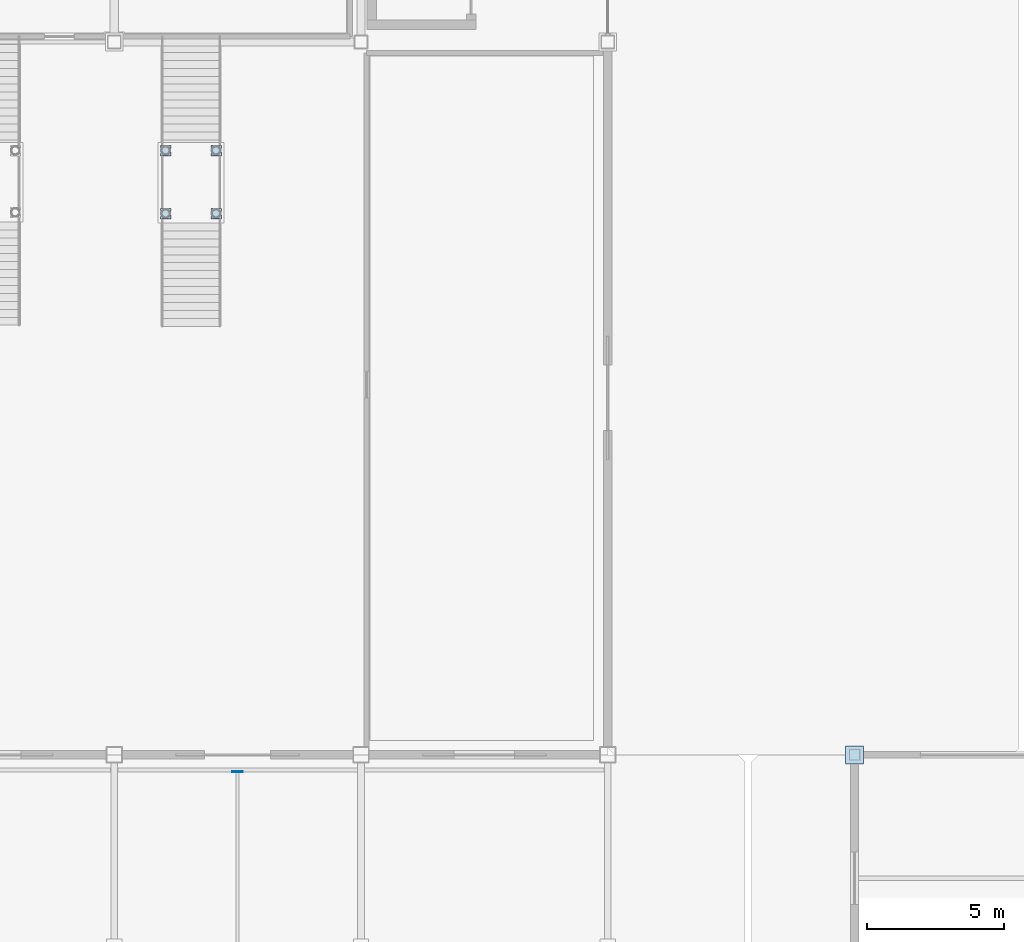
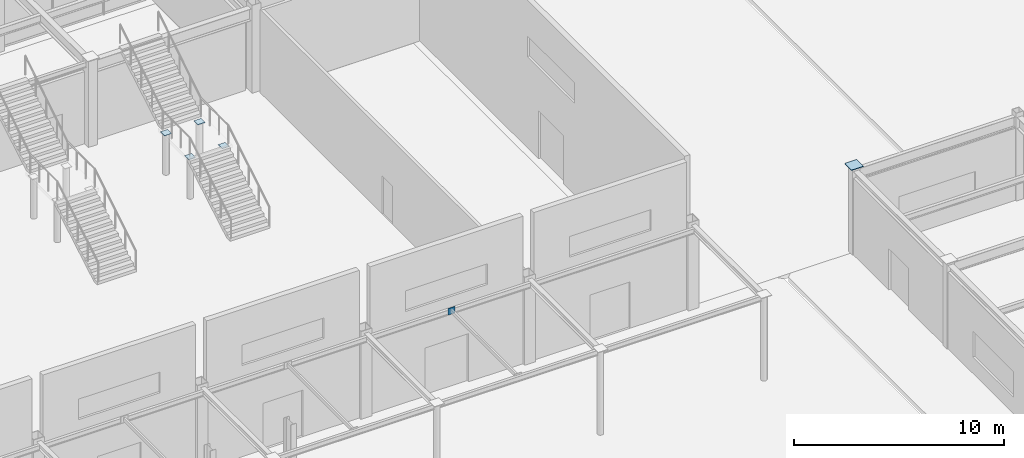
# One storey, part 79 of 123: 6 plates.
"""IFC4 building model written with IfcOpenShell, lengths in metres."""

from ifc_helpers import new_model, si_unit, direction, frame, origin, origin_2d, place, context, subcontext, project, spatial, rectangle, extrude, material, layer, layer_set, type_object, element, save


model = new_model("IFC4")

# Units and contexts
model_context = context("Model", 3, precision=1e-05, world=origin(), true_north=direction((0.0, 1.0)))
body_context = subcontext(model_context, "Body", "Model", "MODEL_VIEW")
ifc_project = project(units=[si_unit("LENGTHUNIT", "METRE"), si_unit("AREAUNIT", "SQUARE_METRE"), si_unit("VOLUMEUNIT", "CUBIC_METRE"), si_unit("PLANEANGLEUNIT", "RADIAN"), si_unit("MASSUNIT", "GRAM", prefix="KILO")], contexts=[model_context])

# Site, building, storey
site_placement = place(None, origin())
site = spatial("IfcSite", under=ifc_project, at=site_placement, CompositionType="ELEMENT")
building_placement = place(site_placement, origin())
building = spatial("IfcBuilding", under=site, at=building_placement, Name="Suzunagisa Mobility Hub", CompositionType="ELEMENT")
storey_placement = place(building_placement, origin())
storey = spatial("IfcBuildingStorey", under=building, at=storey_placement, Name="L00", CompositionType="ELEMENT", Elevation=0.0)

# Plates
ifc_material = material(Name="Steel SN490B", Category="steel")
ifc_layer_1 = layer(ifc_material, 0.02392578125)
ifc_layer_set_1 = layer_set([ifc_layer_1], Name="Steel SN490B")
plate_type_1 = type_object("IfcPlateType", Name="Structural Steel Plate SP-03 380x380x24", PredefinedType="USERDEFINED", material=ifc_layer_set_1)
for number, where, z_axis, x_axis, name in (
    (1, (100.8798828125, 55.739990234375, 2.35009765625), (0.0, 0.0, 1.0), (1.0, 0.0, 0.0), "Concourse Stair Post Cap CSC-06-1"),
    (2, (102.719970703125, 55.739990234375, 2.35009765625), (0.0, 0.0, 1.0), (1.0, 0.0, 0.0), "Concourse Stair Post Cap CSC-06-2"),
    (3, (100.8798828125, 58.0400390625, 2.35009765625), (0.0, 0.0, 1.0), (1.0, 0.0, 0.0), "Concourse Stair Post Cap CSC-06-3"),
    (4, (102.719970703125, 58.0400390625, 2.35009765625), (0.0, 0.0, 1.0), (1.0, 0.0, 0.0), "Concourse Stair Post Cap CSC-06-4"),
):
    element("IfcPlate", number, at=place(storey_placement, frame(where, z_axis=z_axis, x_axis=x_axis)), inside=storey, type_object=plate_type_1, Name=name, ObjectType="BASE PLATE", PredefinedType="USERDEFINED", context=body_context, shape_type="SweptSolid", body=[
        extrude(rectangle(XDim=0.3798828125, YDim=0.3798828125, at=origin_2d()), origin(), (0.0, 0.0, 1.0), 0.02392578125),
    ])
ifc_layer_2 = layer(ifc_material, 0.031982421875)
ifc_layer_set_2 = layer_set([ifc_layer_2], Name="Steel SN490B")
plate_type_2 = type_object("IfcPlateType", Name="Structural Steel Plate SP-05 650x650x32", PredefinedType="USERDEFINED", material=ifc_layer_set_2)
plate_1_placement = place(storey_placement, frame((126.0, 36.0, 5.0400390625), z_axis=(0.0, 0.0, 1.0), x_axis=(1.0, 0.0, 0.0)))
element("IfcPlate", 5, at=plate_1_placement, inside=storey, type_object=plate_type_2, Name="L00 Column Cap Plate CP-232", ObjectType="BASE PLATE", PredefinedType="USERDEFINED", context=body_context, shape_type="SweptSolid", body=[
    extrude(rectangle(XDim=0.64990234375, YDim=0.64990234375, at=origin_2d()), origin(), (0.0, 0.0, 1.0), 0.031982421875),
])
ifc_layer_3 = layer(ifc_material, 0.028076171875)
ifc_layer_set_3 = layer_set([ifc_layer_3], Name="Steel SN490B")
plate_type_3 = type_object("IfcPlateType", Name="Structural Steel Plate SP-07 380x380x28", PredefinedType="USERDEFINED", material=ifc_layer_set_3)
plate_2_placement = place(storey_placement, frame((103.5, 35.384033203125, 4.650146484375), z_axis=(0.0, 0.0, 1.0), x_axis=(1.0, 0.0, 0.0)))
element("IfcPlate", 6, at=plate_2_placement, inside=storey, type_object=plate_type_3, Name="Canopy Frame End Gusset Plate CPG-6N", ObjectType="GUSSET PLATE", PredefinedType="USERDEFINED", context=body_context, shape_type="SweptSolid", body=[
    extrude(rectangle(XDim=0.3798828125, YDim=0.028076171875, at=origin_2d()), origin(), (0.0, 0.0, 1.0), 0.3798828125),
])

save(model, "model.ifc")
